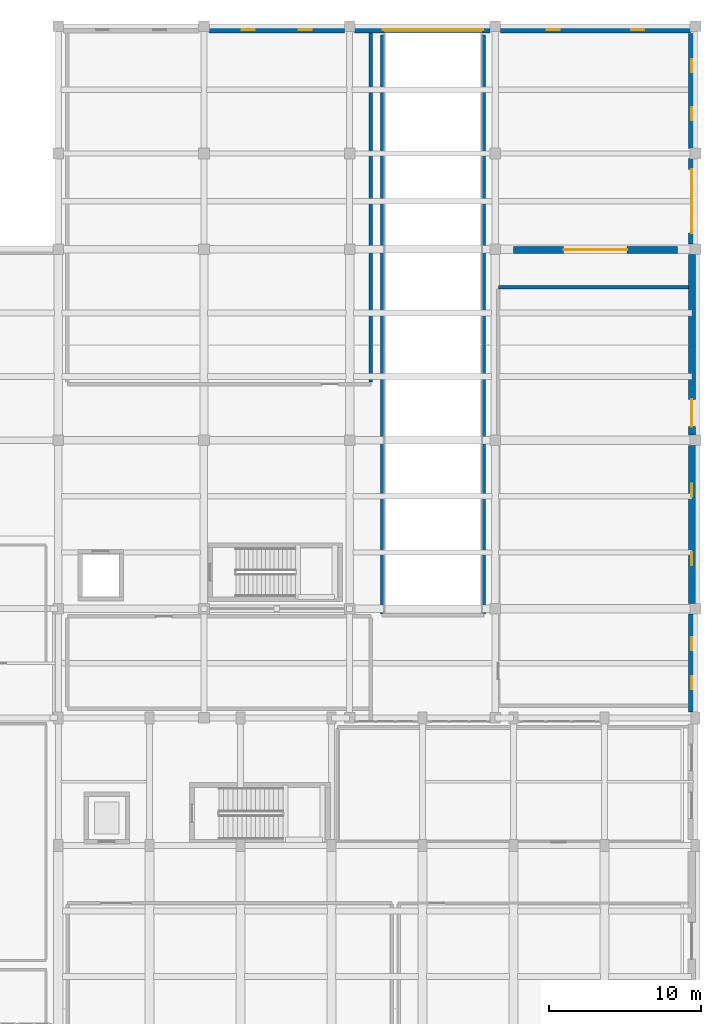
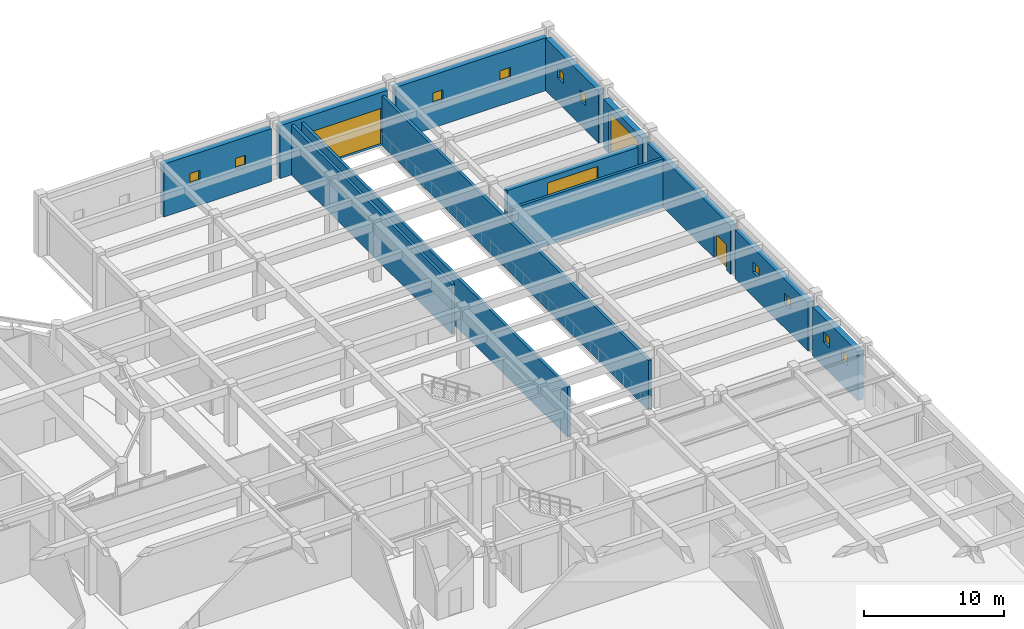
# One storey, part 77 of 98: 13 walls, 10 windows, 4 doors, 14 openings.
"""IFC4 building model written with IfcOpenShell, lengths in metres."""

from ifc_helpers import new_model, si_unit, direction, frame, frame_2d, origin, place, context, subcontext, project, spatial, rectangle, extrude, material, layer, layer_set, type_object, element, fill, save


model = new_model("IFC4")

# Units and contexts
model_context = context("Model", 3, precision=1e-05, world=origin(), true_north=direction((0.0, 1.0)))
body_context = subcontext(model_context, "Body", "Model", "MODEL_VIEW")
ifc_project = project(units=[si_unit("LENGTHUNIT", "METRE"), si_unit("AREAUNIT", "SQUARE_METRE"), si_unit("VOLUMEUNIT", "CUBIC_METRE"), si_unit("PLANEANGLEUNIT", "RADIAN"), si_unit("MASSUNIT", "GRAM", prefix="KILO")], contexts=[model_context])

# Site, building, storey
site_placement = place(None, origin())
site = spatial("IfcSite", under=ifc_project, at=site_placement, CompositionType="ELEMENT")
building_placement = place(site_placement, origin())
building = spatial("IfcBuilding", under=site, at=building_placement, Name="Tarnavel Promenade Courthouse", CompositionType="ELEMENT")
storey_placement = place(building_placement, origin())
storey = spatial("IfcBuildingStorey", under=building, at=storey_placement, Name="L01", CompositionType="ELEMENT", Elevation=0.0)

# Wall, openings, windows
ifc_material_1 = material(Name="Concrete C40/50", Category="concrete")
ifc_layer_1 = layer(ifc_material_1, 0.4599609375)
ifc_layer_set_1 = layer_set([ifc_layer_1], Name="Concrete C40/50")
wall_type_1 = type_object("IfcWallType", Name="Concrete C40/50 WL-SEC-460 (460 mm)", PredefinedType="STANDARD", material=ifc_layer_set_1)
wall_1_placement = place(storey_placement, frame((129.93701171875, 112.56005859375, 0.0), z_axis=(0.0, 0.0, 1.0), x_axis=(1.0, 0.0, 0.0)))
wall_1 = element("IfcWall", 1, at=wall_1_placement, inside=storey, type_object=wall_type_1, Name="L01 Custody Block North Security Wall 0404", PredefinedType="STANDARD", context=body_context, shape_type="SweptSolid", body=[
    extrude(rectangle(XDim=8.9208984375, YDim=0.4599609375, at=frame_2d((4.46044921875, 0.0))), origin(), (0.0, 0.0, 1.0), 4.6201171875),
])
opening_1_placement = place(wall_1_placement, frame((2.153076171875, 0.0, 2.14990234375)))
opening_1 = element("IfcOpeningElement", 2, at=opening_1_placement, cuts=wall_1, Name="Opening W-11", PredefinedType="OPENING", context=body_context, shape_type="SweptSolid", body=[
    extrude(rectangle(XDim=0.85009765625, YDim=0.89990234375, at=frame_2d((0.425048828125, 0.449951171875))), frame((0.0, 0.239990234375, 0.0), z_axis=(0.0, -1.0, 0.0), x_axis=(1.0, 0.0, 0.0)), (0.0, 0.0, 1.0), 0.47998046875),
])
opening_2_placement = place(wall_1_placement, frame((5.923095703125, 0.0, 2.14990234375)))
opening_2 = element("IfcOpeningElement", 3, at=opening_2_placement, cuts=wall_1, Name="Opening W-11", PredefinedType="OPENING", context=body_context, shape_type="SweptSolid", body=[
    extrude(rectangle(XDim=0.85009765625, YDim=0.89990234375, at=frame_2d((0.425048828125, 0.449951171875))), frame((0.0, 0.239990234375, 0.0), z_axis=(0.0, -1.0, 0.0), x_axis=(1.0, 0.0, 0.0)), (0.0, 0.0, 1.0), 0.47998046875),
])
ifc_material_2 = material(Name="Triple Low-E Glazed Bronze-Clad Window Assembly")
window_type = type_object("IfcWindowType", Name="Triple-Glazed Bronze-Clad Timber-Aluminium WIN-CUS-0850x0900", PartitioningType="SINGLE_PANEL", PredefinedType="WINDOW", material=ifc_material_2)
window_1_placement = place(opening_1_placement, origin())
window_1 = element("IfcWindow", 4, at=window_1_placement, inside=storey, type_object=window_type, Name="L01 Exterior Window 0493", OverallHeight=0.89990234375, OverallWidth=0.85009765625, PartitioningType="SINGLE_PANEL", PredefinedType="WINDOW", context=body_context, shape_type="SweptSolid", body=[
    extrude(rectangle(XDim=0.85009765625, YDim=0.89990234375, at=frame_2d((0.425048828125, 0.449951171875))), frame((0.0, 0.030029296875, 0.0), z_axis=(0.0, -1.0, 0.0), x_axis=(1.0, 0.0, 0.0)), (0.0, 0.0, 1.0), 0.06005859375),
])
fill(opening_1, window_1)
window_2_placement = place(opening_2_placement, origin())
window_2 = element("IfcWindow", 5, at=window_2_placement, inside=storey, type_object=window_type, Name="L01 Exterior Window 0494", OverallHeight=0.89990234375, OverallWidth=0.85009765625, PartitioningType="SINGLE_PANEL", PredefinedType="WINDOW", context=body_context, shape_type="SweptSolid", body=[
    extrude(rectangle(XDim=0.85009765625, YDim=0.89990234375, at=frame_2d((0.425048828125, 0.449951171875))), frame((0.0, 0.030029296875, 0.0), z_axis=(0.0, -1.0, 0.0), x_axis=(1.0, 0.0, 0.0)), (0.0, 0.0, 1.0), 0.06005859375),
])
fill(opening_2, window_2)

# Wall, opening, door
wall_2_placement = place(storey_placement, frame((139.537109375, 112.56005859375, 0.0), z_axis=(0.0, 0.0, 1.0), x_axis=(1.0, 0.0, 0.0)))
wall_2 = element("IfcWall", 6, at=wall_2_placement, inside=storey, type_object=wall_type_1, Name="L01 Custody Block North Security Wall 0405", PredefinedType="STANDARD", context=body_context, shape_type="SweptSolid", body=[
    extrude(rectangle(XDim=8.92578125, YDim=0.4599609375, at=frame_2d((4.462890625, 0.0))), origin(), (0.0, 0.0, 1.0), 4.6201171875),
])
opening_3_placement = place(wall_2_placement, frame((1.863037109375, 0.0, 0.0)))
opening_3 = element("IfcOpeningElement", 7, at=opening_3_placement, cuts=wall_2, Name="Opening GT-02", PredefinedType="OPENING", context=body_context, shape_type="SweptSolid", body=[
    extrude(rectangle(XDim=6.60009765625, YDim=3.199951171875, at=frame_2d((3.300048828125, 1.60009765625))), frame((0.0, 0.239990234375, 0.0), z_axis=(0.0, -1.0, 0.0), x_axis=(1.0, 0.0, 0.0)), (0.0, 0.0, 1.0), 0.47998046875),
])
ifc_material_3 = material(Name="Insulated High-Speed Garage Ramp Roller Gate")
door_type_1 = type_object("IfcDoorType", Name="Insulated High-Speed Garage Ramp Roller Gate (GT-GAR-6600x3200)", OperationType="NOTDEFINED", PredefinedType="GATE", material=ifc_material_3)
door_1_placement = place(opening_3_placement, origin())
door_1 = element("IfcDoor", 8, at=door_1_placement, inside=storey, type_object=door_type_1, Name="Judicial Car Park Ramp Exit Roller Shutter Gate", OperationType="ROLLINGUP", OverallHeight=3.199951171875, OverallWidth=6.60009765625, PredefinedType="GATE", context=body_context, shape_type="SweptSolid", body=[
    extrude(rectangle(XDim=6.60009765625, YDim=3.199951171875, at=frame_2d((3.300048828125, 1.60009765625))), frame((0.0, 0.02490234375, 0.0), z_axis=(0.0, -1.0, 0.0), x_axis=(1.0, 0.0, 0.0)), (0.0, 0.0, 1.0), 0.050048828125),
])
fill(opening_3, door_1)

# Wall, openings, windows
wall_3_placement = place(storey_placement, frame((149.14208984375, 112.56005859375, 0.0), z_axis=(0.0, 0.0, 1.0), x_axis=(1.0, 0.0, 0.0)))
wall_3 = element("IfcWall", 9, at=wall_3_placement, inside=storey, type_object=wall_type_1, Name="L01 Custody Block North Security Wall 0406", PredefinedType="STANDARD", context=body_context, shape_type="SweptSolid", body=[
    extrude(rectangle(XDim=12.515869140625, YDim=0.4599609375, at=frame_2d((6.2578125, 0.0))), origin(), (0.0, 0.0, 1.0), 4.6201171875),
])
opening_4_placement = place(wall_3_placement, frame((3.048095703125, 0.0, 2.14990234375)))
opening_4 = element("IfcOpeningElement", 10, at=opening_4_placement, cuts=wall_3, Name="Opening W-11", PredefinedType="OPENING", context=body_context, shape_type="SweptSolid", body=[
    extrude(rectangle(XDim=0.85009765625, YDim=0.89990234375, at=frame_2d((0.425048828125, 0.449951171875))), frame((0.0, 0.239990234375, 0.0), z_axis=(0.0, -1.0, 0.0), x_axis=(1.0, 0.0, 0.0)), (0.0, 0.0, 1.0), 0.47998046875),
])
opening_5_placement = place(wall_3_placement, frame((8.617919921875, 0.0, 2.14990234375)))
opening_5 = element("IfcOpeningElement", 11, at=opening_5_placement, cuts=wall_3, Name="Opening W-11", PredefinedType="OPENING", context=body_context, shape_type="SweptSolid", body=[
    extrude(rectangle(XDim=0.85009765625, YDim=0.89990234375, at=frame_2d((0.425048828125, 0.449951171875))), frame((0.0, 0.239990234375, 0.0), z_axis=(0.0, -1.0, 0.0), x_axis=(1.0, 0.0, 0.0)), (0.0, 0.0, 1.0), 0.47998046875),
])
window_3_placement = place(opening_4_placement, origin())
window_3 = element("IfcWindow", 12, at=window_3_placement, inside=storey, type_object=window_type, Name="L01 Exterior Window 0495", OverallHeight=0.89990234375, OverallWidth=0.85009765625, PartitioningType="SINGLE_PANEL", PredefinedType="WINDOW", context=body_context, shape_type="SweptSolid", body=[
    extrude(rectangle(XDim=0.85009765625, YDim=0.89990234375, at=frame_2d((0.425048828125, 0.449951171875))), frame((0.0, 0.030029296875, 0.0), z_axis=(0.0, -1.0, 0.0), x_axis=(1.0, 0.0, 0.0)), (0.0, 0.0, 1.0), 0.06005859375),
])
fill(opening_4, window_3)
window_4_placement = place(opening_5_placement, origin())
window_4 = element("IfcWindow", 13, at=window_4_placement, inside=storey, type_object=window_type, Name="L01 Exterior Window 0496", OverallHeight=0.89990234375, OverallWidth=0.85009765625, PartitioningType="SINGLE_PANEL", PredefinedType="WINDOW", context=body_context, shape_type="SweptSolid", body=[
    extrude(rectangle(XDim=0.85009765625, YDim=0.89990234375, at=frame_2d((0.425048828125, 0.449951171875))), frame((0.0, 0.030029296875, 0.0), z_axis=(0.0, -1.0, 0.0), x_axis=(1.0, 0.0, 0.0)), (0.0, 0.0, 1.0), 0.06005859375),
])
fill(opening_5, window_4)

wall_4_placement = place(storey_placement, frame((161.760009765625, 74.06298828125, 0.0), z_axis=(0.0, 0.0, 1.0), x_axis=(0.0, -1.0, 0.0)))
wall_4 = element("IfcWall", 14, at=wall_4_placement, inside=storey, type_object=wall_type_1, Name="L01 Custody Block East Security Wall 0407", PredefinedType="STANDARD", context=body_context, shape_type="SweptSolid", body=[
    extrude(rectangle(XDim=6.470947265625, YDim=0.4599609375, at=frame_2d((3.2353515625, 0.0))), origin(), (0.0, 0.0, 1.0), 4.27001953125),
])
opening_6_placement = place(wall_4_placement, frame((1.552978515625, 0.0, 2.14990234375)))
opening_6 = element("IfcOpeningElement", 15, at=opening_6_placement, cuts=wall_4, Name="Opening W-11", PredefinedType="OPENING", context=body_context, shape_type="SweptSolid", body=[
    extrude(rectangle(XDim=0.85009765625, YDim=0.89990234375, at=frame_2d((0.425048828125, 0.449951171875))), frame((0.0, 0.239990234375, 0.0), z_axis=(0.0, -1.0, 0.0), x_axis=(1.0, 0.0, 0.0)), (0.0, 0.0, 1.0), 0.47998046875),
])
opening_7_placement = place(wall_4_placement, frame((4.123046875, 0.0, 2.14990234375)))
opening_7 = element("IfcOpeningElement", 16, at=opening_7_placement, cuts=wall_4, Name="Opening W-11", PredefinedType="OPENING", context=body_context, shape_type="SweptSolid", body=[
    extrude(rectangle(XDim=0.85009765625, YDim=0.89990234375, at=frame_2d((0.425048828125, 0.449951171875))), frame((0.0, 0.239990234375, 0.0), z_axis=(0.0, -1.0, 0.0), x_axis=(1.0, 0.0, 0.0)), (0.0, 0.0, 1.0), 0.47998046875),
])
window_5_placement = place(opening_6_placement, origin())
window_5 = element("IfcWindow", 17, at=window_5_placement, inside=storey, type_object=window_type, Name="L01 Exterior Window 0497", OverallHeight=0.89990234375, OverallWidth=0.85009765625, PartitioningType="SINGLE_PANEL", PredefinedType="WINDOW", context=body_context, shape_type="SweptSolid", body=[
    extrude(rectangle(XDim=0.85009765625, YDim=0.89990234375, at=frame_2d((0.425048828125, 0.449951171875))), frame((0.0, 0.030029296875, 0.0), z_axis=(0.0, -1.0, 0.0), x_axis=(1.0, 0.0, 0.0)), (0.0, 0.0, 1.0), 0.06005859375),
])
fill(opening_6, window_5)
window_6_placement = place(opening_7_placement, origin())
window_6 = element("IfcWindow", 18, at=window_6_placement, inside=storey, type_object=window_type, Name="L01 Exterior Window 0498", OverallHeight=0.89990234375, OverallWidth=0.85009765625, PartitioningType="SINGLE_PANEL", PredefinedType="WINDOW", context=body_context, shape_type="SweptSolid", body=[
    extrude(rectangle(XDim=0.85009765625, YDim=0.89990234375, at=frame_2d((0.425048828125, 0.449951171875))), frame((0.0, 0.030029296875, 0.0), z_axis=(0.0, -1.0, 0.0), x_axis=(1.0, 0.0, 0.0)), (0.0, 0.0, 1.0), 0.06005859375),
])
fill(opening_7, window_6)

wall_5_placement = place(storey_placement, frame((161.760009765625, 85.1630859375, 0.0), z_axis=(0.0, 0.0, 1.0), x_axis=(0.0, -1.0, 0.0)))
wall_5 = element("IfcWall", 19, at=wall_5_placement, inside=storey, type_object=wall_type_1, Name="L01 Custody Block East Security Wall 0408", PredefinedType="STANDARD", context=body_context, shape_type="SweptSolid", body=[
    extrude(rectangle(XDim=10.421142578125, YDim=0.4599609375, at=frame_2d((5.21044921875, 0.0))), origin(), (0.0, 0.0, 1.0), 4.27001953125),
])
opening_8_placement = place(wall_5_placement, frame((2.528076171875, 0.0, 2.14990234375)))
opening_8 = element("IfcOpeningElement", 20, at=opening_8_placement, cuts=wall_5, Name="Opening W-11", PredefinedType="OPENING", context=body_context, shape_type="SweptSolid", body=[
    extrude(rectangle(XDim=0.85009765625, YDim=0.89990234375, at=frame_2d((0.425048828125, 0.449951171875))), frame((0.0, 0.239990234375, 0.0), z_axis=(0.0, -1.0, 0.0), x_axis=(1.0, 0.0, 0.0)), (0.0, 0.0, 1.0), 0.47998046875),
])
opening_9_placement = place(wall_5_placement, frame((7.048095703125, 0.0, 2.14990234375)))
opening_9 = element("IfcOpeningElement", 21, at=opening_9_placement, cuts=wall_5, Name="Opening W-11", PredefinedType="OPENING", context=body_context, shape_type="SweptSolid", body=[
    extrude(rectangle(XDim=0.85009765625, YDim=0.89990234375, at=frame_2d((0.425048828125, 0.449951171875))), frame((0.0, 0.239990234375, 0.0), z_axis=(0.0, -1.0, 0.0), x_axis=(1.0, 0.0, 0.0)), (0.0, 0.0, 1.0), 0.47998046875),
])
window_7_placement = place(opening_8_placement, origin())
window_7 = element("IfcWindow", 22, at=window_7_placement, inside=storey, type_object=window_type, Name="L01 Exterior Window 0499", OverallHeight=0.89990234375, OverallWidth=0.85009765625, PartitioningType="SINGLE_PANEL", PredefinedType="WINDOW", context=body_context, shape_type="SweptSolid", body=[
    extrude(rectangle(XDim=0.85009765625, YDim=0.89990234375, at=frame_2d((0.425048828125, 0.449951171875))), frame((0.0, 0.030029296875, 0.0), z_axis=(0.0, -1.0, 0.0), x_axis=(1.0, 0.0, 0.0)), (0.0, 0.0, 1.0), 0.06005859375),
])
fill(opening_8, window_7)
window_8_placement = place(opening_9_placement, origin())
window_8 = element("IfcWindow", 23, at=window_8_placement, inside=storey, type_object=window_type, Name="L01 Exterior Window 0500", OverallHeight=0.89990234375, OverallWidth=0.85009765625, PartitioningType="SINGLE_PANEL", PredefinedType="WINDOW", context=body_context, shape_type="SweptSolid", body=[
    extrude(rectangle(XDim=0.85009765625, YDim=0.89990234375, at=frame_2d((0.425048828125, 0.449951171875))), frame((0.0, 0.030029296875, 0.0), z_axis=(0.0, -1.0, 0.0), x_axis=(1.0, 0.0, 0.0)), (0.0, 0.0, 1.0), 0.06005859375),
])
fill(opening_9, window_8)

# Wall, opening, door
wall_6_placement = place(storey_placement, frame((161.760009765625, 97.758056640625, 0.0), z_axis=(0.0, 0.0, 1.0), x_axis=(0.0, -1.0, 0.0)))
wall_6 = element("IfcWall", 24, at=wall_6_placement, inside=storey, type_object=wall_type_1, Name="L01 Custody Block East Security Wall 0409", PredefinedType="STANDARD", context=body_context, shape_type="SweptSolid", body=[
    extrude(rectangle(XDim=11.921142578125, YDim=0.4599609375, at=frame_2d((5.96044921875, 0.0))), origin(), (0.0, 0.0, 1.0), 4.27001953125),
])
opening_10_placement = place(wall_6_placement, frame((9.55810546875, 0.0, 0.0)))
opening_10 = element("IfcOpeningElement", 25, at=opening_10_placement, cuts=wall_6, Name="Opening ED-03", PredefinedType="OPENING", context=body_context, shape_type="SweptSolid", body=[
    extrude(rectangle(XDim=1.800048828125, YDim=2.25, at=frame_2d((0.89990234375, 1.125))), frame((0.0, 0.239990234375, 0.0), z_axis=(0.0, -1.0, 0.0), x_axis=(1.0, 0.0, 0.0)), (0.0, 0.0, 1.0), 0.47998046875),
])
ifc_material_4 = material(Name="Insulated Steel Emergency Exit Double Door", Category="steel")
door_type_2 = type_object("IfcDoorType", Name="Insulated Steel Emergency Exit Double Door (ED-EXIT-1800x2250)", OperationType="NOTDEFINED", PredefinedType="DOOR", material=ifc_material_4)
door_2_placement = place(opening_10_placement, origin())
door_2 = element("IfcDoor", 26, at=door_2_placement, inside=storey, type_object=door_type_2, Name="Custody Block East Emergency Exit Door", OperationType="DOUBLE_DOOR_SINGLE_SWING", OverallHeight=2.25, OverallWidth=1.800048828125, PredefinedType="DOOR", context=body_context, shape_type="SweptSolid", body=[
    extrude(rectangle(XDim=1.800048828125, YDim=2.25, at=frame_2d((0.89990234375, 1.125))), frame((0.0, 0.02490234375, 0.0), z_axis=(0.0, -1.0, 0.0), x_axis=(1.0, 0.0, 0.0)), (0.0, 0.0, 1.0), 0.050048828125),
])
fill(opening_10, door_2)

wall_7_placement = place(storey_placement, frame((161.760009765625, 104.06298828125, 0.0), z_axis=(0.0, 0.0, 1.0), x_axis=(0.0, -1.0, 0.0)))
wall_7 = element("IfcWall", 27, at=wall_7_placement, inside=storey, type_object=wall_type_1, Name="L01 Custody Block East Security Wall 0410", PredefinedType="STANDARD", context=body_context, shape_type="SweptSolid", body=[
    extrude(rectangle(XDim=5.6259765625, YDim=0.4599609375, at=frame_2d((2.81298828125, 0.0))), origin(), (0.0, 0.0, 1.0), 4.27001953125),
])
opening_11_placement = place(wall_7_placement, frame((0.712890625, 0.0, 0.0)))
opening_11 = element("IfcOpeningElement", 28, at=opening_11_placement, cuts=wall_7, Name="Opening GT-01", PredefinedType="OPENING", context=body_context, shape_type="SweptSolid", body=[
    extrude(rectangle(XDim=4.199951171875, YDim=3.60009765625, at=frame_2d((2.10009765625, 1.800048828125))), frame((0.0, 0.239990234375, 0.0), z_axis=(0.0, -1.0, 0.0), x_axis=(1.0, 0.0, 0.0)), (0.0, 0.0, 1.0), 0.47998046875),
])
ifc_material_5 = material(Name="Armoured Insulated Steel Sallyport Roller Shutter Gate", Category="steel")
door_type_3 = type_object("IfcDoorType", Name="Armoured Insulated Steel Sallyport Roller Shutter Gate (GT-SAL-4200x3600)", OperationType="NOTDEFINED", PredefinedType="GATE", material=ifc_material_5)
door_3_placement = place(opening_11_placement, origin())
door_3 = element("IfcDoor", 29, at=door_3_placement, inside=storey, type_object=door_type_3, Name="Vehicular Sallyport Outer Roller Shutter Gate", OperationType="ROLLINGUP", OverallHeight=3.60009765625, OverallWidth=4.199951171875, PredefinedType="GATE", context=body_context, shape_type="SweptSolid", body=[
    extrude(rectangle(XDim=4.199951171875, YDim=3.60009765625, at=frame_2d((2.10009765625, 1.800048828125))), frame((0.0, 0.02490234375, 0.0), z_axis=(0.0, -1.0, 0.0), x_axis=(1.0, 0.0, 0.0)), (0.0, 0.0, 1.0), 0.050048828125),
])
fill(opening_11, door_3)

# Wall, openings, windows
wall_8_placement = place(storey_placement, frame((161.760009765625, 112.320068359375, 0.0), z_axis=(0.0, 0.0, 1.0), x_axis=(0.0, -1.0, 0.0)))
wall_8 = element("IfcWall", 30, at=wall_8_placement, inside=storey, type_object=wall_type_1, Name="L01 Custody Block East Security Wall 0411", PredefinedType="STANDARD", context=body_context, shape_type="SweptSolid", body=[
    extrude(rectangle(XDim=7.578125, YDim=0.4599609375, at=frame_2d((3.7890625, 0.0))), origin(), (0.0, 0.0, 1.0), 4.570068359375),
])
opening_12_placement = place(wall_8_placement, frame((1.7099609375, 0.0, 2.14990234375)))
opening_12 = element("IfcOpeningElement", 31, at=opening_12_placement, cuts=wall_8, Name="Opening W-11", PredefinedType="OPENING", context=body_context, shape_type="SweptSolid", body=[
    extrude(rectangle(XDim=0.85009765625, YDim=0.89990234375, at=frame_2d((0.425048828125, 0.449951171875))), frame((0.0, 0.239990234375, 0.0), z_axis=(0.0, -1.0, 0.0), x_axis=(1.0, 0.0, 0.0)), (0.0, 0.0, 1.0), 0.47998046875),
])
opening_13_placement = place(wall_8_placement, frame((4.8798828125, 0.0, 2.14990234375)))
opening_13 = element("IfcOpeningElement", 32, at=opening_13_placement, cuts=wall_8, Name="Opening W-11", PredefinedType="OPENING", context=body_context, shape_type="SweptSolid", body=[
    extrude(rectangle(XDim=0.85009765625, YDim=0.89990234375, at=frame_2d((0.425048828125, 0.449951171875))), frame((0.0, 0.239990234375, 0.0), z_axis=(0.0, -1.0, 0.0), x_axis=(1.0, 0.0, 0.0)), (0.0, 0.0, 1.0), 0.47998046875),
])
window_9_placement = place(opening_12_placement, origin())
window_9 = element("IfcWindow", 33, at=window_9_placement, inside=storey, type_object=window_type, Name="L01 Exterior Window 0501", OverallHeight=0.89990234375, OverallWidth=0.85009765625, PartitioningType="SINGLE_PANEL", PredefinedType="WINDOW", context=body_context, shape_type="SweptSolid", body=[
    extrude(rectangle(XDim=0.85009765625, YDim=0.89990234375, at=frame_2d((0.425048828125, 0.449951171875))), frame((0.0, 0.030029296875, 0.0), z_axis=(0.0, -1.0, 0.0), x_axis=(1.0, 0.0, 0.0)), (0.0, 0.0, 1.0), 0.06005859375),
])
fill(opening_12, window_9)
window_10_placement = place(opening_13_placement, origin())
window_10 = element("IfcWindow", 34, at=window_10_placement, inside=storey, type_object=window_type, Name="L01 Exterior Window 0502", OverallHeight=0.89990234375, OverallWidth=0.85009765625, PartitioningType="SINGLE_PANEL", PredefinedType="WINDOW", context=body_context, shape_type="SweptSolid", body=[
    extrude(rectangle(XDim=0.85009765625, YDim=0.89990234375, at=frame_2d((0.425048828125, 0.449951171875))), frame((0.0, 0.030029296875, 0.0), z_axis=(0.0, -1.0, 0.0), x_axis=(1.0, 0.0, 0.0)), (0.0, 0.0, 1.0), 0.06005859375),
])
fill(opening_13, window_10)

# Wall, opening, door
wall_9_placement = place(storey_placement, frame((150.0, 98.050048828125, 0.0), z_axis=(0.0, 0.0, 1.0), x_axis=(1.0, 0.0, 0.0)))
wall_9 = element("IfcWall", 35, at=wall_9_placement, inside=storey, type_object=wall_type_1, Name="L01 Vehicular Sallyport Inner Airlock Wall 0430", PredefinedType="STANDARD", context=body_context, shape_type="SweptSolid", body=[
    extrude(rectangle(XDim=10.800048828125, YDim=0.4599609375, at=frame_2d((5.39990234375, 0.0))), origin(), (0.0, 0.0, 1.0), 4.10009765625),
])
opening_14_placement = place(wall_9_placement, frame((3.300048828125, 0.0, 0.0)))
opening_14 = element("IfcOpeningElement", 36, at=opening_14_placement, cuts=wall_9, Name="Opening GT-01", PredefinedType="OPENING", context=body_context, shape_type="SweptSolid", body=[
    extrude(rectangle(XDim=4.199951171875, YDim=3.60009765625, at=frame_2d((2.10009765625, 1.800048828125))), frame((0.0, 0.239990234375, 0.0), z_axis=(0.0, -1.0, 0.0), x_axis=(1.0, 0.0, 0.0)), (0.0, 0.0, 1.0), 0.47998046875),
])
door_4_placement = place(opening_14_placement, origin())
door_4 = element("IfcDoor", 37, at=door_4_placement, inside=storey, type_object=door_type_3, Name="Vehicular Sallyport Inner Interlocking Roller Gate", OperationType="ROLLINGUP", OverallHeight=3.60009765625, OverallWidth=4.199951171875, PredefinedType="GATE", context=body_context, shape_type="SweptSolid", body=[
    extrude(rectangle(XDim=4.199951171875, YDim=3.60009765625, at=frame_2d((2.10009765625, 1.800048828125))), frame((0.0, 0.02490234375, 0.0), z_axis=(0.0, -1.0, 0.0), x_axis=(1.0, 0.0, 0.0)), (0.0, 0.0, 1.0), 0.050048828125),
])
fill(opening_14, door_4)

# Walls
ifc_material_6 = material(Name="Concrete Masonry Fire Compartment Wall", Category="masonry")
ifc_layer_2 = layer(ifc_material_6, 0.22998046875)
ifc_layer_set_2 = layer_set([ifc_layer_2], Name="Concrete Masonry Fire Compartment Wall")
wall_type_2 = type_object("IfcWallType", Name="Concrete Masonry Fire Compartment Wall WL-CMP-230 (230 mm)", PredefinedType="STANDARD", material=ifc_layer_set_2)
for number, where, z_axis, x_axis, name in (
    (38, (141.35009765625, 74.050048828125, 0.0), (0.0, 0.0, 1.0), (0.0, 1.0, 0.0), "L01 Vehicle Ramp West Fire Wall"),
    (39, (148.050048828125, 112.199951171875, 0.0), (0.0, 0.0, 1.0), (0.0, -1.0, 0.0), "L01 Vehicle Ramp East Fire Wall"),
):
    element("IfcWall", number, at=place(storey_placement, frame(where, z_axis=z_axis, x_axis=x_axis)), inside=storey, type_object=wall_type_2, Name=name, PredefinedType="STANDARD", context=body_context, shape_type="SweptSolid", body=[
        extrude(rectangle(XDim=38.14990234375, YDim=0.22998046875, at=frame_2d((19.074951171875, 0.0))), origin(), (0.0, 0.0, 1.0), 4.3701171875),
    ])
wall_10_placement = place(storey_placement, frame((149.0, 95.60009765625, 0.0), z_axis=(0.0, 0.0, 1.0), x_axis=(1.0, 0.0, 0.0)))
element("IfcWall", 40, at=wall_10_placement, inside=storey, type_object=wall_type_2, Name="L01 Custody Detainee Reception and Search Suite Partition 0206", PredefinedType="STANDARD", context=body_context, shape_type="SweptSolid", body=[
    extrude(rectangle(XDim=12.535888671875, YDim=0.22998046875, at=frame_2d((6.26806640625, 0.0))), origin(), (0.0, 0.0, 1.0), 4.27001953125),
])
wall_11_placement = place(storey_placement, frame((140.60009765625, 112.3359375, 0.0), z_axis=(0.0, 0.0, 1.0), x_axis=(0.0, -1.0, 0.0)))
element("IfcWall", 41, at=wall_11_placement, inside=storey, type_object=wall_type_2, Name="L01 Custody Medical Screening and Marshals' Station Partition 0215", PredefinedType="STANDARD", context=body_context, shape_type="SweptSolid", body=[
    extrude(rectangle(XDim=23.010986328125, YDim=0.22998046875, at=frame_2d((11.50537109375, 0.0))), origin(), (0.0, 0.0, 1.0), 4.3701171875),
])

save(model, "model.ifc")
